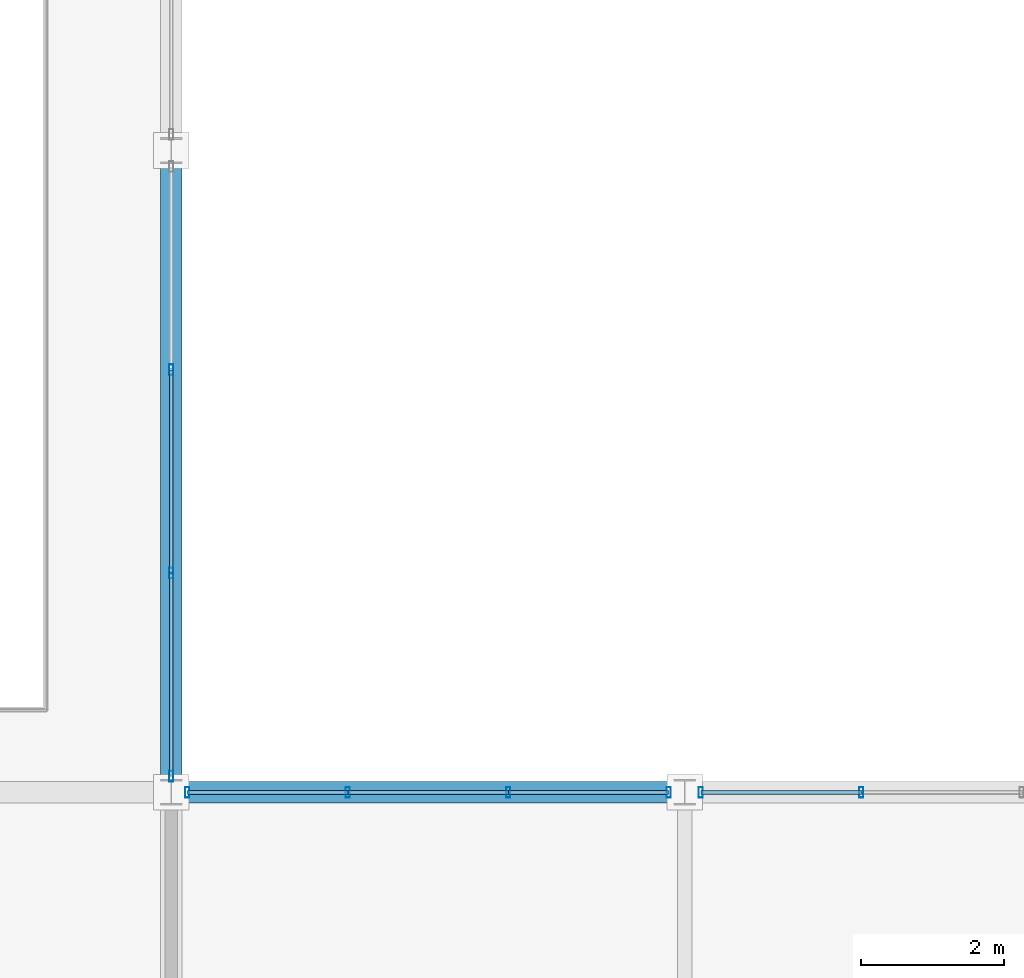
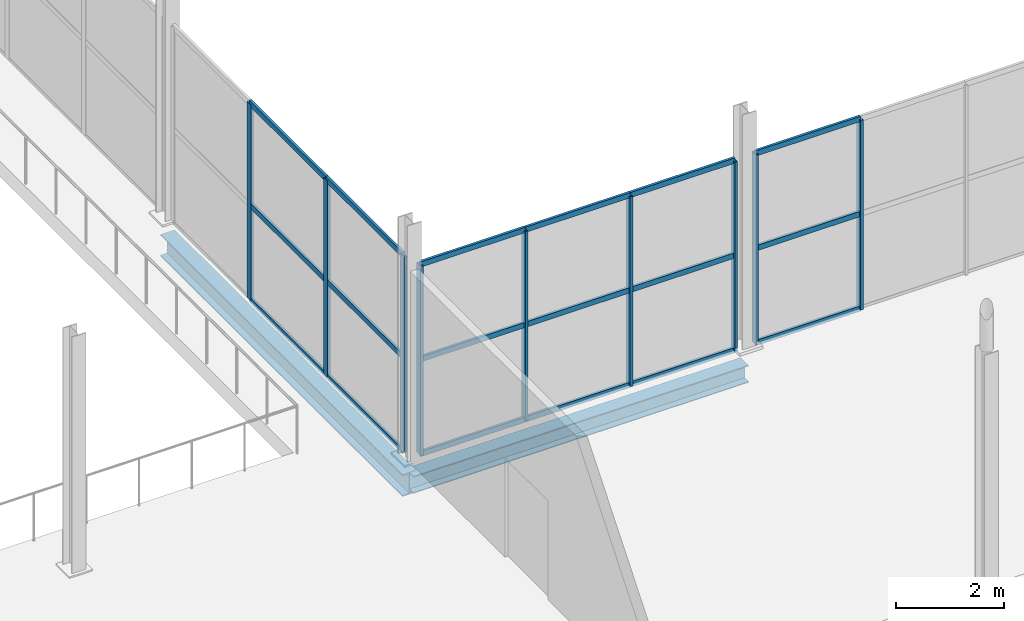
# One storey, part 39 of 141: 27 members, 2 beams, 3 elements without a shape of their own.
"""IFC4 building model written with IfcOpenShell, lengths in metres."""

from ifc_helpers import new_model, si_unit, direction, frame, origin, origin_2d, place, context, subcontext, project, spatial, hollow_rectangle, i_section, extrude, material, layer, layer_set, material_profile, profile_set, type_object, element, aggregate, save


model = new_model("IFC4")

# Units and contexts
model_context = context("Model", 3, precision=1e-05, world=origin(), true_north=direction((0.0, 1.0)))
body_context = subcontext(model_context, "Body", "Model", "MODEL_VIEW")
ifc_project = project(units=[si_unit("LENGTHUNIT", "METRE"), si_unit("AREAUNIT", "SQUARE_METRE"), si_unit("VOLUMEUNIT", "CUBIC_METRE"), si_unit("PLANEANGLEUNIT", "RADIAN"), si_unit("MASSUNIT", "GRAM", prefix="KILO")], contexts=[model_context])

# Site, building, storey
site_placement = place(None, origin())
site = spatial("IfcSite", under=ifc_project, at=site_placement, CompositionType="ELEMENT")
building_placement = place(site_placement, origin())
building = spatial("IfcBuilding", under=site, at=building_placement, Name="Sundgate Opera House", CompositionType="ELEMENT")
storey_placement = place(building_placement, frame((0.0, 0.0, 11.39990234375)))
storey = spatial("IfcBuildingStorey", under=building, at=storey_placement, Name="L02", CompositionType="ELEMENT", Elevation=11.39990234375)

# Beams
ifc_material_1 = material(Name="Steel S355J2", Category="steel")
ifc_material_profile_1 = material_profile(ifc_material_1, i_section(OverallWidth=0.300048828125, OverallDepth=0.389892578125, WebThickness=0.010986328125, FlangeThickness=0.01904296875, at=origin_2d()), Name="HEA 400")
ifc_profile_set_1 = profile_set([ifc_material_profile_1], Name="Steel S355J2")
beam_type_1 = type_object("IfcBeamType", Name="BM-GR-HEA400", PredefinedType="BEAM", material=ifc_profile_set_1)
beam_1_placement = place(storey_placement, frame((117.0, 42.0, -0.544921875), z_axis=(1.0, 0.0, 0.0), x_axis=(0.0, 1.0, 0.0)))
element("IfcBeam", 1, at=beam_1_placement, inside=storey, type_object=beam_type_1, Name="L02 Primary E-W Girder B2012", PredefinedType="BEAM", context=body_context, shape_type="SweptSolid", body=[
    extrude(i_section(OverallWidth=0.300048828125, OverallDepth=0.389892578125, WebThickness=0.010986328125, FlangeThickness=0.01904296875, at=origin_2d()), origin(), (0.0, 0.0, 1.0), 7.199951171875),
])
ifc_material_2 = material(Name="Steel S355J2", Category="steel")
ifc_material_profile_2 = material_profile(ifc_material_2, i_section(OverallWidth=0.300048828125, OverallDepth=0.5, WebThickness=0.014404296875, FlangeThickness=0.028076171875, at=origin_2d()), Name="HEB 500")
ifc_profile_set_2 = profile_set([ifc_material_profile_2], Name="Steel S355J2")
beam_type_2 = type_object("IfcBeamType", Name="BM-GR-HEB500", PredefinedType="BEAM", material=ifc_profile_set_2)
beam_2_placement = place(storey_placement, frame((117.0, 42.0, -0.599853515625), z_axis=(0.0, 1.0, 0.0), x_axis=(-1.0, 0.0, 0.0)))
element("IfcBeam", 2, at=beam_2_placement, inside=storey, type_object=beam_type_2, Name="L02 Primary N-S Girder B1883", PredefinedType="BEAM", context=body_context, shape_type="SweptSolid", body=[
    extrude(i_section(OverallWidth=0.300048828125, OverallDepth=0.5, WebThickness=0.014404296875, FlangeThickness=0.028076171875, at=origin_2d()), origin(), (0.0, 0.0, 1.0), 9.0),
])

# Curtain wall, members
ifc_material_3 = material(Name="Anodized aluminium and low-iron glass", Category="aluminium")
ifc_layer = layer(ifc_material_3, 0.159912109375)
ifc_layer_set = layer_set([ifc_layer], Name="Anodized aluminium and low-iron glass")
curtain_wall_type = type_object("IfcCurtainWallType", Name="CW-STUDIO-DARK", PredefinedType="NOTDEFINED", material=ifc_layer_set)
curtain_wall_1_placement = place(storey_placement, origin())
curtain_wall_1 = element("IfcCurtainWall", 3, at=curtain_wall_1_placement, inside=storey, type_object=curtain_wall_type, Name="L02 Curtain Wall CW070", PredefinedType="NOTDEFINED")
ifc_material_4 = material(Name="Anodized aluminium EN AW-6063", Category="aluminium")
ifc_material_profile_3 = material_profile(ifc_material_4, hollow_rectangle(XDim=0.06005859375, YDim=0.14990234375, WallThickness=0.00390625, at=origin_2d()), Name="CWM 150x60x4")
ifc_profile_set_3 = profile_set([ifc_material_profile_3], Name="Anodized aluminium EN AW-6063")
member_type_1 = type_object("IfcMemberType", Name="CWM-ALU-150x60", PredefinedType="MULLION", material=ifc_profile_set_3)
member_1_placement = place(storey_placement, frame((117.22509765625, 42.0, 0.0), z_axis=(0.0, 0.0, 1.0), x_axis=(1.0, 0.0, 0.0)))
member_1 = element("IfcMember", 4, at=member_1_placement, type_object=member_type_1, Name="CW070 Mullion 1", PredefinedType="MULLION", context=body_context, shape_type="SweptSolid", body=[
    extrude(hollow_rectangle(XDim=0.06005859375, YDim=0.14990234375, WallThickness=0.00390625, at=origin_2d()), origin(), (0.0, 0.0, 1.0), 4.30517578125),
])
member_2_placement = place(storey_placement, frame((119.47509765625, 42.0, 0.0), z_axis=(0.0, 0.0, 1.0), x_axis=(1.0, 0.0, 0.0)))
member_2 = element("IfcMember", 5, at=member_2_placement, type_object=member_type_1, Name="CW070 Mullion 2", PredefinedType="MULLION", context=body_context, shape_type="SweptSolid", body=[
    extrude(hollow_rectangle(XDim=0.06005859375, YDim=0.14990234375, WallThickness=0.00390625, at=origin_2d()), origin(), (0.0, 0.0, 1.0), 4.30517578125),
])
member_3_placement = place(storey_placement, frame((121.72509765625, 42.0, 0.0), z_axis=(0.0, 0.0, 1.0), x_axis=(1.0, 0.0, 0.0)))
member_3 = element("IfcMember", 6, at=member_3_placement, type_object=member_type_1, Name="CW070 Mullion 3", PredefinedType="MULLION", context=body_context, shape_type="SweptSolid", body=[
    extrude(hollow_rectangle(XDim=0.06005859375, YDim=0.14990234375, WallThickness=0.00390625, at=origin_2d()), origin(), (0.0, 0.0, 1.0), 4.30517578125),
])
member_4_placement = place(storey_placement, frame((123.97509765625, 42.0, 0.0), z_axis=(0.0, 0.0, 1.0), x_axis=(1.0, 0.0, 0.0)))
member_4 = element("IfcMember", 7, at=member_4_placement, type_object=member_type_1, Name="CW070 Mullion 4", PredefinedType="MULLION", context=body_context, shape_type="SweptSolid", body=[
    extrude(hollow_rectangle(XDim=0.06005859375, YDim=0.14990234375, WallThickness=0.00390625, at=origin_2d()), origin(), (0.0, 0.0, 1.0), 4.30517578125),
])

curtain_wall_2_placement = place(storey_placement, origin())
curtain_wall_2 = element("IfcCurtainWall", 8, at=curtain_wall_2_placement, inside=storey, type_object=curtain_wall_type, Name="L02 Curtain Wall CW072", PredefinedType="NOTDEFINED")
member_5_placement = place(storey_placement, frame((124.425048828125, 42.0, 0.0), z_axis=(0.0, 0.0, 1.0), x_axis=(1.0, 0.0, 0.0)))
member_5 = element("IfcMember", 9, at=member_5_placement, type_object=member_type_1, Name="CW072 Mullion 1", PredefinedType="MULLION", context=body_context, shape_type="SweptSolid", body=[
    extrude(hollow_rectangle(XDim=0.06005859375, YDim=0.14990234375, WallThickness=0.00390625, at=origin_2d()), origin(), (0.0, 0.0, 1.0), 4.30517578125),
])
member_6_placement = place(storey_placement, frame((126.675048828125, 42.0, 0.0), z_axis=(0.0, 0.0, 1.0), x_axis=(1.0, 0.0, 0.0)))
member_6 = element("IfcMember", 10, at=member_6_placement, type_object=member_type_1, Name="CW072 Mullion 2", PredefinedType="MULLION", context=body_context, shape_type="SweptSolid", body=[
    extrude(hollow_rectangle(XDim=0.06005859375, YDim=0.14990234375, WallThickness=0.00390625, at=origin_2d()), origin(), (0.0, 0.0, 1.0), 4.30517578125),
])

curtain_wall_3_placement = place(storey_placement, origin())
curtain_wall_3 = element("IfcCurtainWall", 11, at=curtain_wall_3_placement, inside=storey, type_object=curtain_wall_type, Name="L02 Curtain Wall CW076", PredefinedType="NOTDEFINED")
member_7_placement = place(storey_placement, frame((117.0, 42.22509765625, 0.0), z_axis=(0.0, 0.0, 1.0), x_axis=(1.0, 0.0, 0.0)))
member_7 = element("IfcMember", 12, at=member_7_placement, type_object=member_type_1, Name="CW076 Mullion 1", PredefinedType="MULLION", context=body_context, shape_type="SweptSolid", body=[
    extrude(hollow_rectangle(XDim=0.06005859375, YDim=0.14990234375, WallThickness=0.00390625, at=origin_2d()), origin(), (0.0, 0.0, 1.0), 4.455078125),
])
member_8_placement = place(storey_placement, frame((117.0, 45.074951171875, 0.0), z_axis=(0.0, 0.0, 1.0), x_axis=(1.0, 0.0, 0.0)))
member_8 = element("IfcMember", 13, at=member_8_placement, type_object=member_type_1, Name="CW076 Mullion 2", PredefinedType="MULLION", context=body_context, shape_type="SweptSolid", body=[
    extrude(hollow_rectangle(XDim=0.06005859375, YDim=0.14990234375, WallThickness=0.00390625, at=origin_2d()), origin(), (0.0, 0.0, 1.0), 4.455078125),
])
member_9_placement = place(storey_placement, frame((117.0, 47.925048828125, 0.0), z_axis=(0.0, 0.0, 1.0), x_axis=(1.0, 0.0, 0.0)))
member_9 = element("IfcMember", 14, at=member_9_placement, type_object=member_type_1, Name="CW076 Mullion 3", PredefinedType="MULLION", context=body_context, shape_type="SweptSolid", body=[
    extrude(hollow_rectangle(XDim=0.06005859375, YDim=0.14990234375, WallThickness=0.00390625, at=origin_2d()), origin(), (0.0, 0.0, 1.0), 4.455078125),
])

# Member
ifc_material_5 = material(Name="Anodized aluminium EN AW-6063", Category="aluminium")
ifc_material_profile_4 = material_profile(ifc_material_5, hollow_rectangle(XDim=0.054931640625, YDim=0.1201171875, WallThickness=0.00390625, at=origin_2d()), Name="CWT 120x55x4")
ifc_profile_set_4 = profile_set([ifc_material_profile_4], Name="Anodized aluminium EN AW-6063")
member_type_2 = type_object("IfcMemberType", Name="CWT-ALU-120x55", PredefinedType="USERDEFINED", material=ifc_profile_set_4)
member_10_placement = place(storey_placement, frame((117.22509765625, 42.0, 0.0), z_axis=(1.0, 0.0, 0.0), x_axis=(0.0, 1.0, 0.0)))
member_10 = element("IfcMember", 15, at=member_10_placement, type_object=member_type_2, Name="CW070 Transom 1", ObjectType="TRANSOM", PredefinedType="USERDEFINED", context=body_context, shape_type="SweptSolid", body=[
    extrude(hollow_rectangle(XDim=0.054931640625, YDim=0.1201171875, WallThickness=0.00390625, at=origin_2d()), origin(), (0.0, 0.0, 1.0), 2.25),
])

member_11_placement = place(storey_placement, frame((117.22509765625, 42.0, 2.150146484375), z_axis=(1.0, 0.0, 0.0), x_axis=(0.0, 1.0, 0.0)))
member_11 = element("IfcMember", 16, at=member_11_placement, type_object=member_type_2, Name="CW070 Transom 2", ObjectType="TRANSOM", PredefinedType="USERDEFINED", context=body_context, shape_type="SweptSolid", body=[
    extrude(hollow_rectangle(XDim=0.054931640625, YDim=0.1201171875, WallThickness=0.00390625, at=origin_2d()), origin(), (0.0, 0.0, 1.0), 2.25),
])

member_12_placement = place(storey_placement, frame((117.22509765625, 42.0, 4.30517578125), z_axis=(1.0, 0.0, 0.0), x_axis=(0.0, 1.0, 0.0)))
member_12 = element("IfcMember", 17, at=member_12_placement, type_object=member_type_2, Name="CW070 Transom 3", ObjectType="TRANSOM", PredefinedType="USERDEFINED", context=body_context, shape_type="SweptSolid", body=[
    extrude(hollow_rectangle(XDim=0.054931640625, YDim=0.1201171875, WallThickness=0.00390625, at=origin_2d()), origin(), (0.0, 0.0, 1.0), 2.25),
])

member_13_placement = place(storey_placement, frame((119.47509765625, 42.0, 0.0), z_axis=(1.0, 0.0, 0.0), x_axis=(0.0, 1.0, 0.0)))
member_13 = element("IfcMember", 18, at=member_13_placement, type_object=member_type_2, Name="CW070 Transom 4", ObjectType="TRANSOM", PredefinedType="USERDEFINED", context=body_context, shape_type="SweptSolid", body=[
    extrude(hollow_rectangle(XDim=0.054931640625, YDim=0.1201171875, WallThickness=0.00390625, at=origin_2d()), origin(), (0.0, 0.0, 1.0), 2.25),
])

member_14_placement = place(storey_placement, frame((119.47509765625, 42.0, 2.150146484375), z_axis=(1.0, 0.0, 0.0), x_axis=(0.0, 1.0, 0.0)))
member_14 = element("IfcMember", 19, at=member_14_placement, type_object=member_type_2, Name="CW070 Transom 5", ObjectType="TRANSOM", PredefinedType="USERDEFINED", context=body_context, shape_type="SweptSolid", body=[
    extrude(hollow_rectangle(XDim=0.054931640625, YDim=0.1201171875, WallThickness=0.00390625, at=origin_2d()), origin(), (0.0, 0.0, 1.0), 2.25),
])

member_15_placement = place(storey_placement, frame((119.47509765625, 42.0, 4.30517578125), z_axis=(1.0, 0.0, 0.0), x_axis=(0.0, 1.0, 0.0)))
member_15 = element("IfcMember", 20, at=member_15_placement, type_object=member_type_2, Name="CW070 Transom 6", ObjectType="TRANSOM", PredefinedType="USERDEFINED", context=body_context, shape_type="SweptSolid", body=[
    extrude(hollow_rectangle(XDim=0.054931640625, YDim=0.1201171875, WallThickness=0.00390625, at=origin_2d()), origin(), (0.0, 0.0, 1.0), 2.25),
])

member_16_placement = place(storey_placement, frame((121.72509765625, 42.0, 0.0), z_axis=(1.0, 0.0, 0.0), x_axis=(0.0, 1.0, 0.0)))
member_16 = element("IfcMember", 21, at=member_16_placement, type_object=member_type_2, Name="CW070 Transom 7", ObjectType="TRANSOM", PredefinedType="USERDEFINED", context=body_context, shape_type="SweptSolid", body=[
    extrude(hollow_rectangle(XDim=0.054931640625, YDim=0.1201171875, WallThickness=0.00390625, at=origin_2d()), origin(), (0.0, 0.0, 1.0), 2.25),
])

member_17_placement = place(storey_placement, frame((121.72509765625, 42.0, 2.150146484375), z_axis=(1.0, 0.0, 0.0), x_axis=(0.0, 1.0, 0.0)))
member_17 = element("IfcMember", 22, at=member_17_placement, type_object=member_type_2, Name="CW070 Transom 8", ObjectType="TRANSOM", PredefinedType="USERDEFINED", context=body_context, shape_type="SweptSolid", body=[
    extrude(hollow_rectangle(XDim=0.054931640625, YDim=0.1201171875, WallThickness=0.00390625, at=origin_2d()), origin(), (0.0, 0.0, 1.0), 2.25),
])

member_18_placement = place(storey_placement, frame((121.72509765625, 42.0, 4.30517578125), z_axis=(1.0, 0.0, 0.0), x_axis=(0.0, 1.0, 0.0)))
member_18 = element("IfcMember", 23, at=member_18_placement, type_object=member_type_2, Name="CW070 Transom 9", ObjectType="TRANSOM", PredefinedType="USERDEFINED", context=body_context, shape_type="SweptSolid", body=[
    extrude(hollow_rectangle(XDim=0.054931640625, YDim=0.1201171875, WallThickness=0.00390625, at=origin_2d()), origin(), (0.0, 0.0, 1.0), 2.25),
])

aggregate(curtain_wall_1, [member_1, member_2, member_3, member_4, member_10, member_11, member_12, member_13, member_14, member_15, member_16, member_17, member_18])

member_19_placement = place(storey_placement, frame((124.425048828125, 42.0, 0.0), z_axis=(1.0, 0.0, 0.0), x_axis=(0.0, 1.0, 0.0)))
member_19 = element("IfcMember", 24, at=member_19_placement, type_object=member_type_2, Name="CW072 Transom 1", ObjectType="TRANSOM", PredefinedType="USERDEFINED", context=body_context, shape_type="SweptSolid", body=[
    extrude(hollow_rectangle(XDim=0.054931640625, YDim=0.1201171875, WallThickness=0.00390625, at=origin_2d()), origin(), (0.0, 0.0, 1.0), 2.25),
])

member_20_placement = place(storey_placement, frame((124.425048828125, 42.0, 2.150146484375), z_axis=(1.0, 0.0, 0.0), x_axis=(0.0, 1.0, 0.0)))
member_20 = element("IfcMember", 25, at=member_20_placement, type_object=member_type_2, Name="CW072 Transom 2", ObjectType="TRANSOM", PredefinedType="USERDEFINED", context=body_context, shape_type="SweptSolid", body=[
    extrude(hollow_rectangle(XDim=0.054931640625, YDim=0.1201171875, WallThickness=0.00390625, at=origin_2d()), origin(), (0.0, 0.0, 1.0), 2.25),
])

member_21_placement = place(storey_placement, frame((124.425048828125, 42.0, 4.30517578125), z_axis=(1.0, 0.0, 0.0), x_axis=(0.0, 1.0, 0.0)))
member_21 = element("IfcMember", 26, at=member_21_placement, type_object=member_type_2, Name="CW072 Transom 3", ObjectType="TRANSOM", PredefinedType="USERDEFINED", context=body_context, shape_type="SweptSolid", body=[
    extrude(hollow_rectangle(XDim=0.054931640625, YDim=0.1201171875, WallThickness=0.00390625, at=origin_2d()), origin(), (0.0, 0.0, 1.0), 2.25),
])

aggregate(curtain_wall_2, [member_5, member_6, member_19, member_20, member_21])

member_22_placement = place(storey_placement, frame((117.0, 42.22509765625, 0.0), z_axis=(0.0, 1.0, 0.0), x_axis=(-1.0, 0.0, 0.0)))
member_22 = element("IfcMember", 27, at=member_22_placement, type_object=member_type_2, Name="CW076 Transom 1", ObjectType="TRANSOM", PredefinedType="USERDEFINED", context=body_context, shape_type="SweptSolid", body=[
    extrude(hollow_rectangle(XDim=0.054931640625, YDim=0.1201171875, WallThickness=0.00390625, at=origin_2d()), origin(), (0.0, 0.0, 1.0), 2.849853515625),
])

member_23_placement = place(storey_placement, frame((117.0, 42.22509765625, 2.150146484375), z_axis=(0.0, 1.0, 0.0), x_axis=(-1.0, 0.0, 0.0)))
member_23 = element("IfcMember", 28, at=member_23_placement, type_object=member_type_2, Name="CW076 Transom 2", ObjectType="TRANSOM", PredefinedType="USERDEFINED", context=body_context, shape_type="SweptSolid", body=[
    extrude(hollow_rectangle(XDim=0.054931640625, YDim=0.1201171875, WallThickness=0.00390625, at=origin_2d()), origin(), (0.0, 0.0, 1.0), 2.849853515625),
])

member_24_placement = place(storey_placement, frame((117.0, 42.22509765625, 4.455078125), z_axis=(0.0, 1.0, 0.0), x_axis=(-1.0, 0.0, 0.0)))
member_24 = element("IfcMember", 29, at=member_24_placement, type_object=member_type_2, Name="CW076 Transom 3", ObjectType="TRANSOM", PredefinedType="USERDEFINED", context=body_context, shape_type="SweptSolid", body=[
    extrude(hollow_rectangle(XDim=0.054931640625, YDim=0.1201171875, WallThickness=0.00390625, at=origin_2d()), origin(), (0.0, 0.0, 1.0), 2.849853515625),
])

member_25_placement = place(storey_placement, frame((117.0, 45.074951171875, 0.0), z_axis=(0.0, 1.0, 0.0), x_axis=(-1.0, 0.0, 0.0)))
member_25 = element("IfcMember", 30, at=member_25_placement, type_object=member_type_2, Name="CW076 Transom 4", ObjectType="TRANSOM", PredefinedType="USERDEFINED", context=body_context, shape_type="SweptSolid", body=[
    extrude(hollow_rectangle(XDim=0.054931640625, YDim=0.1201171875, WallThickness=0.00390625, at=origin_2d()), origin(), (0.0, 0.0, 1.0), 2.85009765625),
])

member_26_placement = place(storey_placement, frame((117.0, 45.074951171875, 2.150146484375), z_axis=(0.0, 1.0, 0.0), x_axis=(-1.0, 0.0, 0.0)))
member_26 = element("IfcMember", 31, at=member_26_placement, type_object=member_type_2, Name="CW076 Transom 5", ObjectType="TRANSOM", PredefinedType="USERDEFINED", context=body_context, shape_type="SweptSolid", body=[
    extrude(hollow_rectangle(XDim=0.054931640625, YDim=0.1201171875, WallThickness=0.00390625, at=origin_2d()), origin(), (0.0, 0.0, 1.0), 2.85009765625),
])

member_27_placement = place(storey_placement, frame((117.0, 45.074951171875, 4.455078125), z_axis=(0.0, 1.0, 0.0), x_axis=(-1.0, 0.0, 0.0)))
member_27 = element("IfcMember", 32, at=member_27_placement, type_object=member_type_2, Name="CW076 Transom 6", ObjectType="TRANSOM", PredefinedType="USERDEFINED", context=body_context, shape_type="SweptSolid", body=[
    extrude(hollow_rectangle(XDim=0.054931640625, YDim=0.1201171875, WallThickness=0.00390625, at=origin_2d()), origin(), (0.0, 0.0, 1.0), 2.85009765625),
])

aggregate(curtain_wall_3, [member_7, member_8, member_9, member_22, member_23, member_24, member_25, member_26, member_27])

save(model, "model.ifc")
